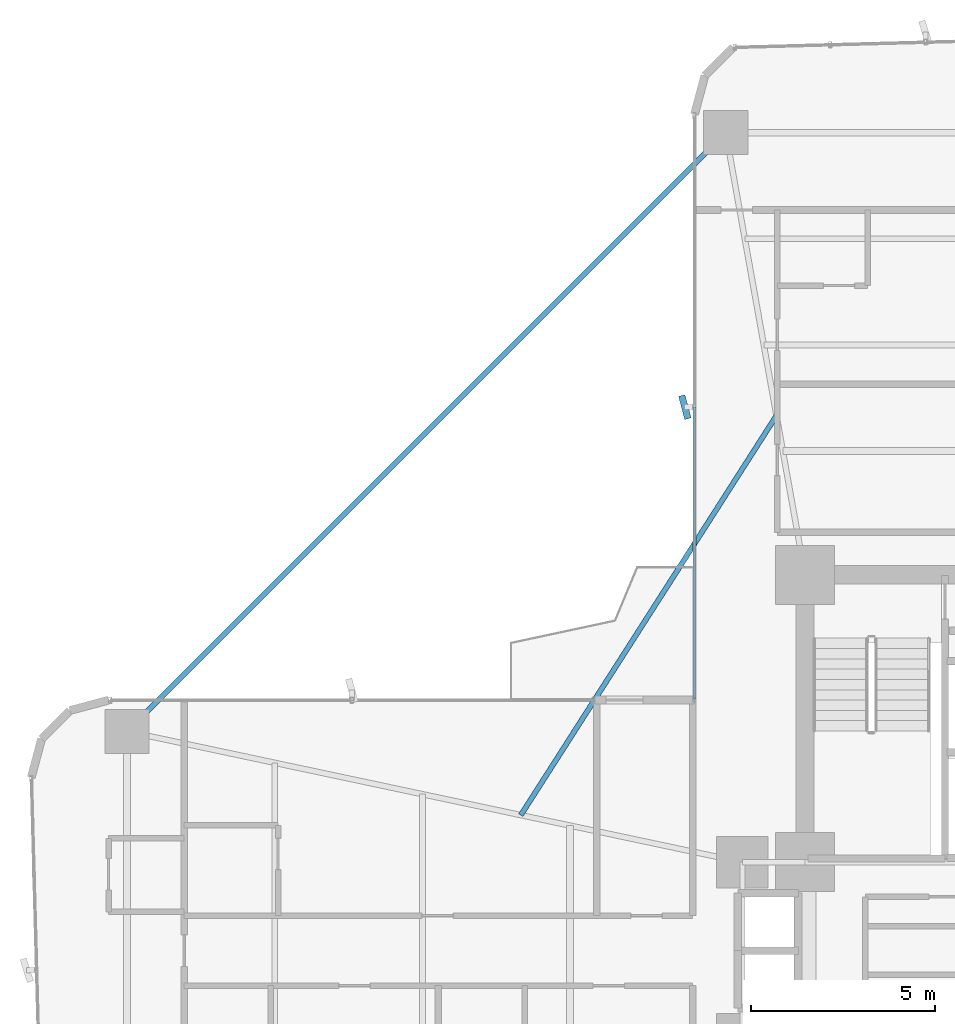
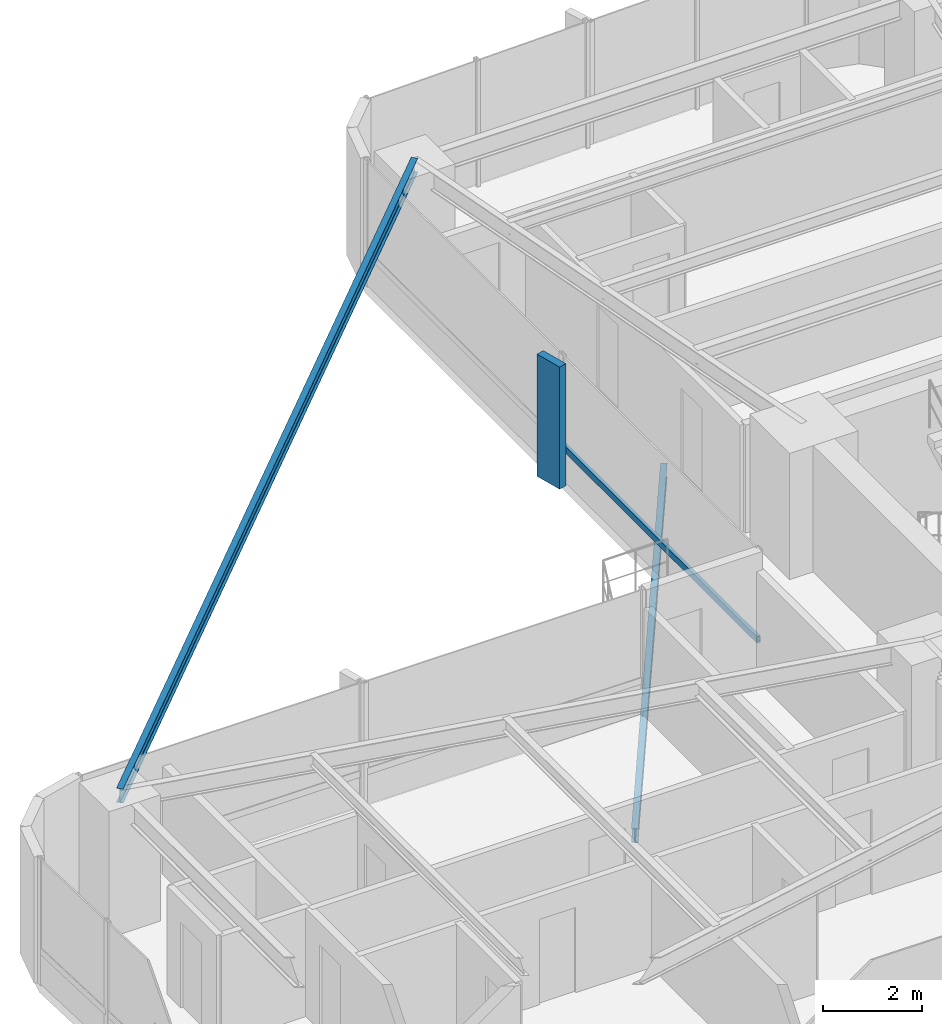
# One storey, part 17 of 25: 2 beams, 2 members, 1 element without a shape of its own.
"""IFC4 building model written with IfcOpenShell, lengths in metres."""

from ifc_helpers import new_model, si_unit, direction, frame, origin, origin_2d, place, context, subcontext, project, spatial, rectangle, hollow_rectangle, i_section, extrude, source, transform, mapped, material, material_profile, profile_set, type_object, element, aggregate, save


model = new_model("IFC4")

# Units and contexts
model_context = context("Model", 3, precision=1e-05, world=origin(), true_north=direction((0.0, 1.0)))
body_context = subcontext(model_context, "Body", "Model", "MODEL_VIEW")
ifc_project = project(units=[si_unit("LENGTHUNIT", "METRE"), si_unit("AREAUNIT", "SQUARE_METRE"), si_unit("VOLUMEUNIT", "CUBIC_METRE"), si_unit("PLANEANGLEUNIT", "RADIAN"), si_unit("MASSUNIT", "GRAM", prefix="KILO")], contexts=[model_context])

# Site, building, storey
site_placement = place(None, origin())
site = spatial("IfcSite", under=ifc_project, at=site_placement, CompositionType="ELEMENT")
building_placement = place(site_placement, origin())
building = spatial("IfcBuilding", under=site, at=building_placement, Name="Sahyath Konkavel Grand Hotel", CompositionType="ELEMENT")
storey_placement = place(building_placement, frame((0.0, 0.0, 67.800048828125)))
storey = spatial("IfcBuildingStorey", under=building, at=storey_placement, Name="L18", CompositionType="ELEMENT", Elevation=67.800048828125)

# Beam
ifc_material_1 = material(Name="Steel E350", Category="steel")
ifc_material_profile_1 = material_profile(ifc_material_1, i_section(OverallWidth=0.139892578125, OverallDepth=0.35009765625, WebThickness=0.008056640625, FlangeThickness=0.01416015625, FilletRadius=0.013916015625, at=origin_2d()), Name="ISMB 350")
ifc_profile_set_1 = profile_set([ifc_material_profile_1], Name="Steel E350")
beam_type_1 = type_object("IfcBeamType", Name="BM-ISMB350", PredefinedType="BEAM", material=ifc_profile_set_1)
shared_shape_1 = source(origin(), body_context, "Body", "SweptSolid", [
    extrude(i_section(OverallWidth=0.139892578125, OverallDepth=0.35009765625, WebThickness=0.008056640625, FlangeThickness=0.01416015625, FilletRadius=0.013916015625, at=origin_2d()), origin(), (0.0, 0.0, 1.0), 22.98095703125),
])
beam_1_placement = place(storey_placement, frame((-5.949951171875, 22.199951171875, 2.93505859375), z_axis=(-0.707106781187, -0.707106781187, 0.0), x_axis=(0.707106781187, -0.707106781187, 0.0)))
element("IfcBeam", 1, at=beam_1_placement, inside=storey, type_object=beam_type_1, Name="L18 Re-Entrant Tie Beam NW", PredefinedType="BEAM", context=body_context, shape_type="MappedRepresentation", body=[
    mapped(shared_shape_1, transform((0.0, 0.0, 0.0), scale=1.0)),
])

# Curtain wall, members
ifc_material_2 = material(Name="Anodised Bronze Aluminium & Low-E Glazing", Category="aluminium")
curtain_wall_type = type_object("IfcCurtainWallType", Name="CW-ZONE1", PredefinedType="NOTDEFINED", material=ifc_material_2)
curtain_wall_placement = place(storey_placement, origin())
curtain_wall = element("IfcCurtainWall", 2, at=curtain_wall_placement, inside=storey, type_object=curtain_wall_type, Name="L18 Unitised Curtain Wall F15", PredefinedType="NOTDEFINED")
ifc_material_3 = material(Name="Warm Buff Sandstone Cladding on Concrete C50/60", Category="masonry")
ifc_material_profile_2 = material_profile(ifc_material_3, rectangle(XDim=0.179931640625, YDim=0.64990234375, at=origin_2d()), Name="FIN 180x650")
ifc_profile_set_2 = profile_set([ifc_material_profile_2], Name="Warm Buff Sandstone Cladding on Concrete C50/60")
member_type_1 = type_object("IfcMemberType", Name="FIN-SANDSTONE-650", PredefinedType="MULLION", material=ifc_profile_set_2)
shared_shape_2 = source(origin(), body_context, "Body", "SweptSolid", [
    extrude(rectangle(XDim=0.179931640625, YDim=0.64990234375, at=origin_2d()), origin(), (0.0, 0.0, 1.0), 3.010009765625),
])
member_1_placement = place(storey_placement, frame((-7.06005859375, 14.75, 0.050048828125), z_axis=(0.0, 0.0, 1.0), x_axis=(0.965744901133, 0.259493325415, 0.0)))
member_1 = element("IfcMember", 3, at=member_1_placement, type_object=member_type_1, Name="L18 Sandstone Vertical Solar Fin FIN F15-1", PredefinedType="MULLION", context=body_context, shape_type="MappedRepresentation", body=[
    mapped(shared_shape_2, transform((0.0, 0.0, 0.0), scale=1.0)),
])
ifc_material_4 = material(Name="Anodised Bronze Aluminium", Category="aluminium")
ifc_material_profile_3 = material_profile(ifc_material_4, hollow_rectangle(XDim=0.080078125, YDim=0.159912109375, WallThickness=0.006103515625, at=origin_2d()), Name="RHS 160x80x6")
ifc_profile_set_3 = profile_set([ifc_material_profile_3], Name="Anodised Bronze Aluminium")
member_type_2 = type_object("IfcMemberType", Name="CW-TRN-160", PredefinedType="USERDEFINED", material=ifc_profile_set_3)
shared_shape_3 = source(origin(), body_context, "Body", "SweptSolid", [
    extrude(hollow_rectangle(XDim=0.080078125, YDim=0.159912109375, WallThickness=0.006103515625, at=origin_2d()), origin(), (0.0, 0.0, 1.0), 7.909912109375),
])
member_2_placement = place(storey_placement, frame((-6.800048828125, 14.75, 0.849853515625), z_axis=(0.0, -1.0, 0.0), x_axis=(1.0, 0.0, 0.0)))
member_2 = element("IfcMember", 4, at=member_2_placement, type_object=member_type_2, Name="L18 Curtain Wall Transom F15-1-spandrel", ObjectType="TRANSOM", PredefinedType="USERDEFINED", context=body_context, shape_type="MappedRepresentation", body=[
    mapped(shared_shape_3, transform((0.0, 0.0, 0.0), scale=1.0)),
])
aggregate(curtain_wall, [member_1, member_2])

# Beam
ifc_material_profile_4 = material_profile(ifc_material_1, i_section(OverallWidth=0.139892578125, OverallDepth=0.35009765625, WebThickness=0.008056640625, FlangeThickness=0.01416015625, FilletRadius=0.013916015625, at=origin_2d()), Name="ISMB 350")
ifc_profile_set_4 = profile_set([ifc_material_profile_4], Name="Steel E350")
beam_type_2 = type_object("IfcBeamType", Name="BM-BALC-CANT", PredefinedType="BEAM", material=ifc_profile_set_4)
shared_shape_4 = source(origin(), body_context, "Body", "SweptSolid", [
    extrude(i_section(OverallWidth=0.139892578125, OverallDepth=0.35009765625, WebThickness=0.008056640625, FlangeThickness=0.01416015625, FilletRadius=0.013916015625, at=origin_2d()), origin(), (0.0, 0.0, 1.0), 12.871826171875),
])
beam_2_placement = place(storey_placement, frame((-4.573974609375, 14.52001953125, -0.4150390625), z_axis=(-0.539003102535, -0.842303778608, 0.0), x_axis=(0.842303778608, -0.539003102535, 0.0)))
element("IfcBeam", 5, at=beam_2_placement, inside=storey, type_object=beam_type_2, Name="L18 Balcony Cantilever Support Beam NW", PredefinedType="BEAM", context=body_context, shape_type="MappedRepresentation", body=[
    mapped(shared_shape_4, transform((0.0, 0.0, 0.0), scale=1.0)),
])

save(model, "model.ifc")
